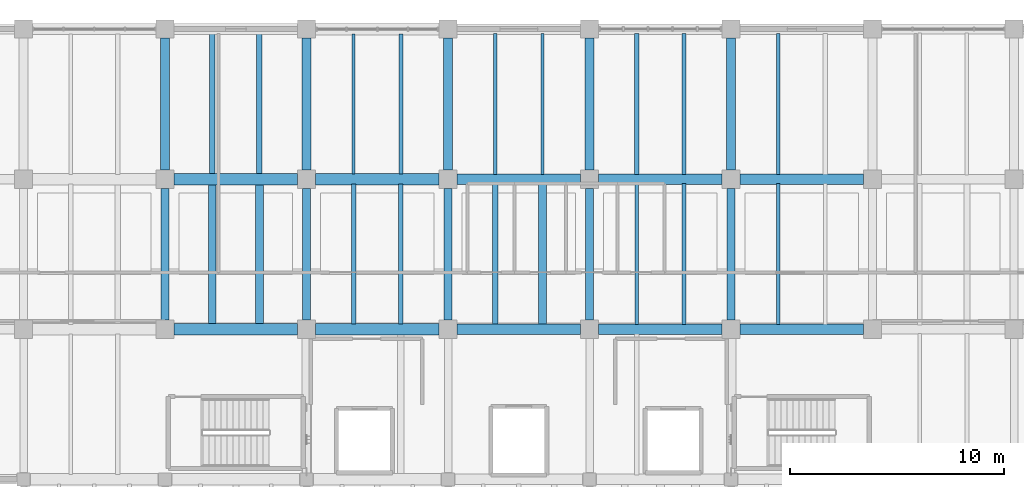
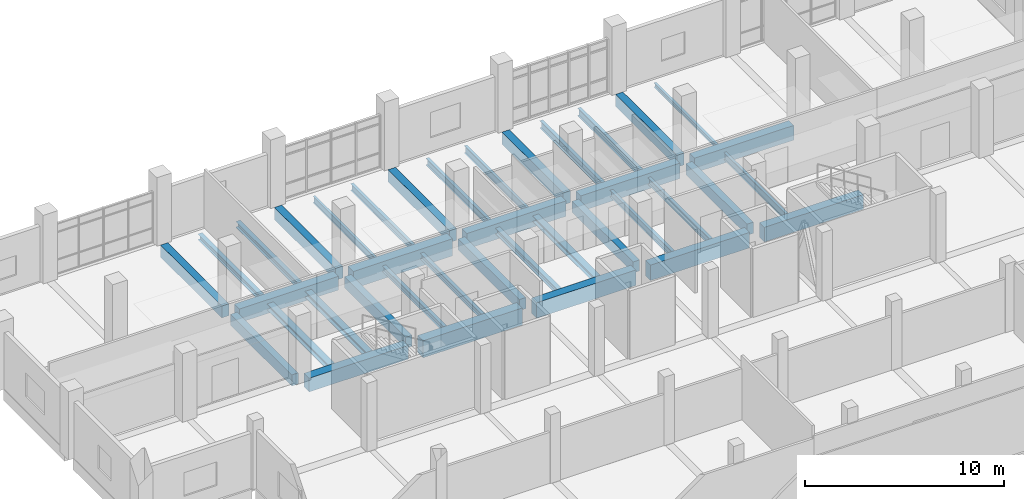
# One storey, part 29 of 68: 38 beams.
"""IFC4 building model written with IfcOpenShell, lengths in metres."""

from ifc_helpers import new_model, si_unit, direction, frame, origin, origin_2d, place, context, subcontext, project, spatial, rectangle, i_section, extrude, material, material_profile, profile_set, type_object, element, save


model = new_model("IFC4")

# Units and contexts
model_context = context("Model", 3, precision=1e-05, world=origin(), true_north=direction((0.0, 1.0)))
body_context = subcontext(model_context, "Body", "Model", "MODEL_VIEW")
ifc_project = project(units=[si_unit("LENGTHUNIT", "METRE"), si_unit("AREAUNIT", "SQUARE_METRE"), si_unit("VOLUMEUNIT", "CUBIC_METRE"), si_unit("PLANEANGLEUNIT", "RADIAN"), si_unit("MASSUNIT", "GRAM", prefix="KILO")], contexts=[model_context])

# Site, building, storey
site_placement = place(None, origin())
site = spatial("IfcSite", under=ifc_project, at=site_placement, CompositionType="ELEMENT")
building_placement = place(site_placement, origin())
building = spatial("IfcBuilding", under=site, at=building_placement, Name="Ciguamira Faculty of Natural Sciences", CompositionType="ELEMENT")
storey_placement = place(building_placement, frame((0.0, 0.0, 4.199951171875)))
storey = spatial("IfcBuildingStorey", under=building, at=storey_placement, Name="L01", CompositionType="ELEMENT", Elevation=4.199951171875)

# Beams
ifc_material_1 = material(Name="Concrete C40/50", Category="concrete")
ifc_material_profile_1 = material_profile(ifc_material_1, rectangle(XDim=0.550048828125, YDim=1.050048828125, at=origin_2d()), Name="RC-BM-550X1050")
ifc_profile_set_1 = profile_set([ifc_material_profile_1], Name="Concrete C40/50")
beam_type_1 = type_object("IfcBeamType", Name="RCBeam_BG-01_RC-BM-550X1050", PredefinedType="BEAM", material=ifc_profile_set_1)
for number, where, z_axis, x_axis, name in (
    (1, (77.52490234375, 101.0, -0.52490234375), (1.0, 0.0, 0.0), (0.0, 1.0, 0.0), "L01 RC girder EW-0525"),
    (2, (77.52490234375, 108.0, -0.52490234375), (1.0, 0.0, 0.0), (0.0, 1.0, 0.0), "L01 RC girder EW-0534"),
):
    element("IfcBeam", number, at=place(storey_placement, frame(where, z_axis=z_axis, x_axis=x_axis)), inside=storey, type_object=beam_type_1, Name=name, PredefinedType="BEAM", context=body_context, shape_type="SweptSolid", body=[
        extrude(rectangle(XDim=0.550048828125, YDim=1.050048828125, at=origin_2d()), origin(), (0.0, 0.0, 1.0), 5.75),
    ])
ifc_material_profile_2 = material_profile(ifc_material_1, rectangle(XDim=0.5, YDim=0.949951171875, at=origin_2d()), Name="RC-BM-500X950")
ifc_profile_set_2 = profile_set([ifc_material_profile_2], Name="Concrete C40/50")
beam_type_2 = type_object("IfcBeamType", Name="RCBeam_BG-02_RC-BM-500X950", PredefinedType="BEAM", material=ifc_profile_set_2)
for number, where, z_axis, x_axis, name in (
    (3, (84.125, 101.0, -0.474853515625), (1.0, 0.0, 0.0), (0.0, 1.0, 0.0), "L01 RC girder EW-0526"),
    (4, (90.72509765625, 101.0, -0.474853515625), (1.0, 0.0, 0.0), (0.0, 1.0, 0.0), "L01 RC girder EW-0527"),
    (5, (84.125, 108.0, -0.474853515625), (1.0, 0.0, 0.0), (0.0, 1.0, 0.0), "L01 RC girder EW-0535"),
    (6, (90.72509765625, 108.0, -0.474853515625), (1.0, 0.0, 0.0), (0.0, 1.0, 0.0), "L01 RC girder EW-0536"),
):
    element("IfcBeam", number, at=place(storey_placement, frame(where, z_axis=z_axis, x_axis=x_axis)), inside=storey, type_object=beam_type_2, Name=name, PredefinedType="BEAM", context=body_context, shape_type="SweptSolid", body=[
        extrude(rectangle(XDim=0.5, YDim=0.949951171875, at=origin_2d()), origin(), (0.0, 0.0, 1.0), 5.75),
    ])
ifc_material_profile_3 = material_profile(ifc_material_1, rectangle(XDim=0.5, YDim=0.89990234375, at=origin_2d()), Name="RC-BM-500X900")
ifc_profile_set_3 = profile_set([ifc_material_profile_3], Name="Concrete C40/50")
beam_type_3 = type_object("IfcBeamType", Name="RCBeam_BG-03_RC-BM-500X900", PredefinedType="BEAM", material=ifc_profile_set_3)
for number, where, z_axis, x_axis, name in (
    (7, (97.324951171875, 101.0, -0.449951171875), (1.0, 0.0, 0.0), (0.0, 1.0, 0.0), "L01 RC girder EW-0528"),
    (8, (97.324951171875, 108.0, -0.449951171875), (1.0, 0.0, 0.0), (0.0, 1.0, 0.0), "L01 RC girder EW-0537"),
):
    element("IfcBeam", number, at=place(storey_placement, frame(where, z_axis=z_axis, x_axis=x_axis)), inside=storey, type_object=beam_type_3, Name=name, PredefinedType="BEAM", context=body_context, shape_type="SweptSolid", body=[
        extrude(rectangle(XDim=0.5, YDim=0.89990234375, at=origin_2d()), origin(), (0.0, 0.0, 1.0), 5.75),
    ])
ifc_material_profile_4 = material_profile(ifc_material_1, rectangle(XDim=0.419921875, YDim=0.739990234375, at=origin_2d()), Name="RC-BM-420X740")
ifc_profile_set_4 = profile_set([ifc_material_profile_4], Name="Concrete C40/50")
beam_type_4 = type_object("IfcBeamType", Name="RCBeam_BG-07_RC-BM-420X740", PredefinedType="BEAM", material=ifc_profile_set_4)
for number, where, z_axis, x_axis, name in (
    (9, (70.5, 108.425048828125, -0.369873046875), (0.0, 1.0, 0.0), (-1.0, 0.0, 0.0), "L01 girder NS-0606"),
    (10, (77.10009765625, 108.425048828125, -0.369873046875), (0.0, 1.0, 0.0), (-1.0, 0.0, 0.0), "L01 girder NS-0617"),
    (11, (83.699951171875, 108.425048828125, -0.369873046875), (0.0, 1.0, 0.0), (-1.0, 0.0, 0.0), "L01 girder NS-0629"),
    (12, (90.300048828125, 108.425048828125, -0.369873046875), (0.0, 1.0, 0.0), (-1.0, 0.0, 0.0), "L01 girder NS-0641"),
    (13, (96.89990234375, 108.425048828125, -0.369873046875), (0.0, 1.0, 0.0), (-1.0, 0.0, 0.0), "L01 girder NS-0652"),
):
    element("IfcBeam", number, at=place(storey_placement, frame(where, z_axis=z_axis, x_axis=x_axis)), inside=storey, type_object=beam_type_4, Name=name, PredefinedType="BEAM", context=body_context, shape_type="SweptSolid", body=[
        extrude(rectangle(XDim=0.419921875, YDim=0.739990234375, at=origin_2d()), origin(), (0.0, 0.0, 1.0), 6.14990234375),
    ])
ifc_material_profile_5 = material_profile(ifc_material_1, rectangle(XDim=0.3798828125, YDim=0.679931640625, at=origin_2d()), Name="RC-BM-380X680")
ifc_profile_set_5 = profile_set([ifc_material_profile_5], Name="Concrete C40/50")
beam_type_5 = type_object("IfcBeamType", Name="RCBeam_BG-09_RC-BM-380X680", PredefinedType="BEAM", material=ifc_profile_set_5)
for number, where, z_axis, x_axis, name in (
    (14, (70.5, 101.425048828125, -0.33984375), (0.0, 1.0, 0.0), (-1.0, 0.0, 0.0), "L01 girder NS-0605"),
    (15, (77.10009765625, 101.425048828125, -0.33984375), (0.0, 1.0, 0.0), (-1.0, 0.0, 0.0), "L01 girder NS-0616"),
    (16, (83.699951171875, 101.425048828125, -0.33984375), (0.0, 1.0, 0.0), (-1.0, 0.0, 0.0), "L01 girder NS-0628"),
    (17, (90.300048828125, 101.425048828125, -0.33984375), (0.0, 1.0, 0.0), (-1.0, 0.0, 0.0), "L01 girder NS-0640"),
    (18, (96.89990234375, 101.425048828125, -0.33984375), (0.0, 1.0, 0.0), (-1.0, 0.0, 0.0), "L01 girder NS-0651"),
):
    element("IfcBeam", number, at=place(storey_placement, frame(where, z_axis=z_axis, x_axis=x_axis)), inside=storey, type_object=beam_type_5, Name=name, PredefinedType="BEAM", context=body_context, shape_type="SweptSolid", body=[
        extrude(rectangle(XDim=0.3798828125, YDim=0.679931640625, at=origin_2d()), origin(), (0.0, 0.0, 1.0), 6.14990234375),
    ])
ifc_material_profile_6 = material_profile(ifc_material_1, rectangle(XDim=0.52001953125, YDim=0.840087890625, at=origin_2d()), Name="RC-TB-520X840")
ifc_profile_set_6 = profile_set([ifc_material_profile_6], Name="Concrete C40/50")
beam_type_6 = type_object("IfcBeamType", Name="RCBeam_TB-02_RC-TB-520X840", PredefinedType="T_BEAM", material=ifc_profile_set_6)
for number, where, z_axis, x_axis, name in (
    (19, (70.925048828125, 101.0, -0.419921875), (1.0, 0.0, 0.0), (0.0, 1.0, 0.0), "L01 RC girder EW-0524"),
    (20, (70.925048828125, 108.0, -0.419921875), (1.0, 0.0, 0.0), (0.0, 1.0, 0.0), "L01 RC girder EW-0533"),
):
    element("IfcBeam", number, at=place(storey_placement, frame(where, z_axis=z_axis, x_axis=x_axis)), inside=storey, type_object=beam_type_6, Name=name, PredefinedType="T_BEAM", context=body_context, shape_type="SweptSolid", body=[
        extrude(rectangle(XDim=0.52001953125, YDim=0.840087890625, at=origin_2d()), origin(), (0.0, 0.0, 1.0), 5.75),
    ])
ifc_material_2 = material(Name="Steel ASTM A992 Grade 50", Category="steel")
ifc_material_profile_7 = material_profile(ifc_material_2, i_section(OverallWidth=0.14599609375, OverallDepth=0.259033203125, WebThickness=0.006103515625, FlangeThickness=0.009033203125, at=origin_2d()), Name="W10X22")
ifc_profile_set_7 = profile_set([ifc_material_profile_7], Name="Steel ASTM A992 Grade 50")
beam_type_7 = type_object("IfcBeamType", Name="SteelJoist_SJ-01_W10X22", PredefinedType="JOIST", material=ifc_profile_set_7)
beam_1_placement = place(storey_placement, frame((99.10009765625, 108.2099609375, -0.369384765625), z_axis=(0.0, 1.0, 0.0), x_axis=(-1.0, 0.0, 0.0)))
element("IfcBeam", 21, at=beam_1_placement, inside=storey, type_object=beam_type_7, Name="L01 composite steel joist 00568", PredefinedType="JOIST", context=body_context, shape_type="SweptSolid", body=[
    extrude(i_section(OverallWidth=0.14599609375, OverallDepth=0.259033203125, WebThickness=0.006103515625, FlangeThickness=0.009033203125, at=origin_2d()), origin(), (0.0, 0.0, 1.0), 6.580078125),
])
ifc_material_profile_8 = material_profile(ifc_material_2, i_section(OverallWidth=0.370849609375, OverallDepth=0.36328125, WebThickness=0.013427734375, FlangeThickness=0.021728515625, at=origin_2d()), Name="W14X109")
ifc_profile_set_8 = profile_set([ifc_material_profile_8], Name="Steel ASTM A992 Grade 50")
beam_type_8 = type_object("IfcBeamType", Name="SteelJoist_SJ-09_W14X109", PredefinedType="JOIST", material=ifc_profile_set_8)
beam_2_placement = place(storey_placement, frame((72.699951171875, 101.219970703125, -0.421630859375), z_axis=(0.0, 1.0, 0.0), x_axis=(-1.0, 0.0, 0.0)))
element("IfcBeam", 22, at=beam_2_placement, inside=storey, type_object=beam_type_8, Name="L01 composite steel joist 00464", PredefinedType="JOIST", context=body_context, shape_type="SweptSolid", body=[
    extrude(i_section(OverallWidth=0.370849609375, OverallDepth=0.36328125, WebThickness=0.013427734375, FlangeThickness=0.021728515625, at=origin_2d()), origin(), (0.0, 0.0, 1.0), 6.56005859375),
])
ifc_material_profile_9 = material_profile(ifc_material_2, i_section(OverallWidth=0.373291015625, OverallDepth=0.373291015625, WebThickness=0.016357421875, FlangeThickness=0.026123046875, at=origin_2d()), Name="W14X132")
ifc_profile_set_9 = profile_set([ifc_material_profile_9], Name="Steel ASTM A992 Grade 50")
beam_type_9 = type_object("IfcBeamType", Name="SteelJoist_SJ-10_W14X132", PredefinedType="JOIST", material=ifc_profile_set_9)
beam_3_placement = place(storey_placement, frame((74.89990234375, 101.219970703125, -0.4267578125), z_axis=(0.0, 1.0, 0.0), x_axis=(-1.0, 0.0, 0.0)))
element("IfcBeam", 23, at=beam_3_placement, inside=storey, type_object=beam_type_9, Name="L01 composite steel joist 00465", PredefinedType="JOIST", context=body_context, shape_type="SweptSolid", body=[
    extrude(i_section(OverallWidth=0.373291015625, OverallDepth=0.373291015625, WebThickness=0.016357421875, FlangeThickness=0.026123046875, at=origin_2d()), origin(), (0.0, 0.0, 1.0), 6.56005859375),
])
ifc_material_profile_10 = material_profile(ifc_material_2, i_section(OverallWidth=0.203125, OverallDepth=0.347900390625, WebThickness=0.0078125, FlangeThickness=0.013427734375, at=origin_2d()), Name="W14X43")
ifc_profile_set_10 = profile_set([ifc_material_profile_10], Name="Steel ASTM A992 Grade 50")
beam_type_10 = type_object("IfcBeamType", Name="SteelJoist_SJ-12_W14X43", PredefinedType="JOIST", material=ifc_profile_set_10)
beam_4_placement = place(storey_placement, frame((79.300048828125, 101.235107421875, -0.4140625), z_axis=(0.0, 1.0, 0.0), x_axis=(-1.0, 0.0, 0.0)))
element("IfcBeam", 24, at=beam_4_placement, inside=storey, type_object=beam_type_10, Name="L01 composite steel joist 00490", PredefinedType="JOIST", context=body_context, shape_type="SweptSolid", body=[
    extrude(i_section(OverallWidth=0.203125, OverallDepth=0.347900390625, WebThickness=0.0078125, FlangeThickness=0.013427734375, at=origin_2d()), origin(), (0.0, 0.0, 1.0), 6.52978515625),
])
ifc_material_profile_11 = material_profile(ifc_material_2, i_section(OverallWidth=0.204833984375, OverallDepth=0.35302734375, WebThickness=0.00927734375, FlangeThickness=0.016845703125, at=origin_2d()), Name="W14X53")
ifc_profile_set_11 = profile_set([ifc_material_profile_11], Name="Steel ASTM A992 Grade 50")
beam_type_11 = type_object("IfcBeamType", Name="SteelJoist_SJ-13_W14X53", PredefinedType="JOIST", material=ifc_profile_set_11)
beam_5_placement = place(storey_placement, frame((81.5, 101.235107421875, -0.41650390625), z_axis=(0.0, 1.0, 0.0), x_axis=(-1.0, 0.0, 0.0)))
element("IfcBeam", 25, at=beam_5_placement, inside=storey, type_object=beam_type_11, Name="L01 composite steel joist 00491", PredefinedType="JOIST", context=body_context, shape_type="SweptSolid", body=[
    extrude(i_section(OverallWidth=0.204833984375, OverallDepth=0.35302734375, WebThickness=0.00927734375, FlangeThickness=0.016845703125, at=origin_2d()), origin(), (0.0, 0.0, 1.0), 6.52978515625),
])
ifc_material_profile_12 = material_profile(ifc_material_2, i_section(OverallWidth=0.25390625, OverallDepth=0.355712890625, WebThickness=0.010498046875, FlangeThickness=0.018310546875, at=origin_2d()), Name="W14X68")
ifc_profile_set_12 = profile_set([ifc_material_profile_12], Name="Steel ASTM A992 Grade 50")
beam_type_12 = type_object("IfcBeamType", Name="SteelJoist_SJ-14_W14X68", PredefinedType="JOIST", material=ifc_profile_set_12)
beam_6_placement = place(storey_placement, frame((72.699951171875, 108.219970703125, -0.417724609375), z_axis=(0.0, 1.0, 0.0), x_axis=(-1.0, 0.0, 0.0)))
element("IfcBeam", 26, at=beam_6_placement, inside=storey, type_object=beam_type_12, Name="L01 composite steel joist 00466", PredefinedType="JOIST", context=body_context, shape_type="SweptSolid", body=[
    extrude(i_section(OverallWidth=0.25390625, OverallDepth=0.355712890625, WebThickness=0.010498046875, FlangeThickness=0.018310546875, at=origin_2d()), origin(), (0.0, 0.0, 1.0), 6.56005859375),
])
ifc_material_profile_13 = material_profile(ifc_material_2, i_section(OverallWidth=0.256591796875, OverallDepth=0.36328125, WebThickness=0.012939453125, FlangeThickness=0.021728515625, at=origin_2d()), Name="W14X82")
ifc_profile_set_13 = profile_set([ifc_material_profile_13], Name="Steel ASTM A992 Grade 50")
beam_type_13 = type_object("IfcBeamType", Name="SteelJoist_SJ-15_W14X82", PredefinedType="JOIST", material=ifc_profile_set_13)
beam_7_placement = place(storey_placement, frame((74.89990234375, 108.219970703125, -0.421630859375), z_axis=(0.0, 1.0, 0.0), x_axis=(-1.0, 0.0, 0.0)))
element("IfcBeam", 27, at=beam_7_placement, inside=storey, type_object=beam_type_13, Name="L01 composite steel joist 00467", PredefinedType="JOIST", context=body_context, shape_type="SweptSolid", body=[
    extrude(i_section(OverallWidth=0.256591796875, OverallDepth=0.36328125, WebThickness=0.012939453125, FlangeThickness=0.021728515625, at=origin_2d()), origin(), (0.0, 0.0, 1.0), 6.56005859375),
])
beam_8_placement = place(storey_placement, frame((85.89990234375, 101.2099609375, -0.421630859375), z_axis=(0.0, 1.0, 0.0), x_axis=(-1.0, 0.0, 0.0)))
element("IfcBeam", 28, at=beam_8_placement, inside=storey, type_object=beam_type_13, Name="L01 composite steel joist 00515", PredefinedType="JOIST", context=body_context, shape_type="SweptSolid", body=[
    extrude(i_section(OverallWidth=0.256591796875, OverallDepth=0.36328125, WebThickness=0.012939453125, FlangeThickness=0.021728515625, at=origin_2d()), origin(), (0.0, 0.0, 1.0), 6.580078125),
])
ifc_material_profile_14 = material_profile(ifc_material_2, i_section(OverallWidth=0.368408203125, OverallDepth=0.355712890625, WebThickness=0.01123046875, FlangeThickness=0.01806640625, at=origin_2d()), Name="W14X90")
ifc_profile_set_14 = profile_set([ifc_material_profile_14], Name="Steel ASTM A992 Grade 50")
beam_type_14 = type_object("IfcBeamType", Name="SteelJoist_SJ-16_W14X90", PredefinedType="JOIST", material=ifc_profile_set_14)
beam_9_placement = place(storey_placement, frame((88.10009765625, 101.2099609375, -0.417724609375), z_axis=(0.0, 1.0, 0.0), x_axis=(-1.0, 0.0, 0.0)))
element("IfcBeam", 29, at=beam_9_placement, inside=storey, type_object=beam_type_14, Name="L01 composite steel joist 00516", PredefinedType="JOIST", context=body_context, shape_type="SweptSolid", body=[
    extrude(i_section(OverallWidth=0.368408203125, OverallDepth=0.355712890625, WebThickness=0.01123046875, FlangeThickness=0.01806640625, at=origin_2d()), origin(), (0.0, 0.0, 1.0), 6.580078125),
])
ifc_material_profile_15 = material_profile(ifc_material_2, i_section(OverallWidth=0.140380859375, OverallDepth=0.40380859375, WebThickness=0.007080078125, FlangeThickness=0.01123046875, at=origin_2d()), Name="W16X31")
ifc_profile_set_15 = profile_set([ifc_material_profile_15], Name="Steel ASTM A992 Grade 50")
beam_type_15 = type_object("IfcBeamType", Name="SteelJoist_SJ-17_W16X31", PredefinedType="JOIST", material=ifc_profile_set_15)
beam_10_placement = place(storey_placement, frame((79.300048828125, 108.235107421875, -0.44189453125), z_axis=(0.0, 1.0, 0.0), x_axis=(-1.0, 0.0, 0.0)))
element("IfcBeam", 30, at=beam_10_placement, inside=storey, type_object=beam_type_15, Name="L01 composite steel joist 00492", PredefinedType="JOIST", context=body_context, shape_type="SweptSolid", body=[
    extrude(i_section(OverallWidth=0.140380859375, OverallDepth=0.40380859375, WebThickness=0.007080078125, FlangeThickness=0.01123046875, at=origin_2d()), origin(), (0.0, 0.0, 1.0), 6.52978515625),
])
ifc_material_profile_16 = material_profile(ifc_material_2, i_section(OverallWidth=0.177490234375, OverallDepth=0.40380859375, WebThickness=0.007568359375, FlangeThickness=0.010986328125, at=origin_2d()), Name="W16X36")
ifc_profile_set_16 = profile_set([ifc_material_profile_16], Name="Steel ASTM A992 Grade 50")
beam_type_16 = type_object("IfcBeamType", Name="SteelJoist_SJ-18_W16X36", PredefinedType="JOIST", material=ifc_profile_set_16)
beam_11_placement = place(storey_placement, frame((81.5, 108.235107421875, -0.44189453125), z_axis=(0.0, 1.0, 0.0), x_axis=(-1.0, 0.0, 0.0)))
element("IfcBeam", 31, at=beam_11_placement, inside=storey, type_object=beam_type_16, Name="L01 composite steel joist 00493", PredefinedType="JOIST", context=body_context, shape_type="SweptSolid", body=[
    extrude(i_section(OverallWidth=0.177490234375, OverallDepth=0.40380859375, WebThickness=0.007568359375, FlangeThickness=0.010986328125, at=origin_2d()), origin(), (0.0, 0.0, 1.0), 6.52978515625),
])
beam_12_placement = place(storey_placement, frame((92.5, 101.2099609375, -0.44189453125), z_axis=(0.0, 1.0, 0.0), x_axis=(-1.0, 0.0, 0.0)))
element("IfcBeam", 32, at=beam_12_placement, inside=storey, type_object=beam_type_16, Name="L01 composite steel joist 00541", PredefinedType="JOIST", context=body_context, shape_type="SweptSolid", body=[
    extrude(i_section(OverallWidth=0.177490234375, OverallDepth=0.40380859375, WebThickness=0.007568359375, FlangeThickness=0.010986328125, at=origin_2d()), origin(), (0.0, 0.0, 1.0), 6.580078125),
])
ifc_material_profile_17 = material_profile(ifc_material_2, i_section(OverallWidth=0.1787109375, OverallDepth=0.408935546875, WebThickness=0.0087890625, FlangeThickness=0.014404296875, at=origin_2d()), Name="W16X45")
ifc_profile_set_17 = profile_set([ifc_material_profile_17], Name="Steel ASTM A992 Grade 50")
beam_type_17 = type_object("IfcBeamType", Name="SteelJoist_SJ-19_W16X45", PredefinedType="JOIST", material=ifc_profile_set_17)
beam_13_placement = place(storey_placement, frame((94.699951171875, 101.2099609375, -0.4443359375), z_axis=(0.0, 1.0, 0.0), x_axis=(-1.0, 0.0, 0.0)))
element("IfcBeam", 33, at=beam_13_placement, inside=storey, type_object=beam_type_17, Name="L01 composite steel joist 00542", PredefinedType="JOIST", context=body_context, shape_type="SweptSolid", body=[
    extrude(i_section(OverallWidth=0.1787109375, OverallDepth=0.408935546875, WebThickness=0.0087890625, FlangeThickness=0.014404296875, at=origin_2d()), origin(), (0.0, 0.0, 1.0), 6.580078125),
])
ifc_material_profile_18 = material_profile(ifc_material_2, i_section(OverallWidth=0.180908203125, OverallDepth=0.41650390625, WebThickness=0.010986328125, FlangeThickness=0.01806640625, at=origin_2d()), Name="W16X57")
ifc_profile_set_18 = profile_set([ifc_material_profile_18], Name="Steel ASTM A992 Grade 50")
beam_type_18 = type_object("IfcBeamType", Name="SteelJoist_SJ-20_W16X57", PredefinedType="JOIST", material=ifc_profile_set_18)
beam_14_placement = place(storey_placement, frame((85.89990234375, 108.2099609375, -0.4482421875), z_axis=(0.0, 1.0, 0.0), x_axis=(-1.0, 0.0, 0.0)))
element("IfcBeam", 34, at=beam_14_placement, inside=storey, type_object=beam_type_18, Name="L01 composite steel joist 00517", PredefinedType="JOIST", context=body_context, shape_type="SweptSolid", body=[
    extrude(i_section(OverallWidth=0.180908203125, OverallDepth=0.41650390625, WebThickness=0.010986328125, FlangeThickness=0.01806640625, at=origin_2d()), origin(), (0.0, 0.0, 1.0), 6.580078125),
])
ifc_material_profile_19 = material_profile(ifc_material_2, i_section(OverallWidth=0.15234375, OverallDepth=0.449462890625, WebThickness=0.007568359375, FlangeThickness=0.0107421875, at=origin_2d()), Name="W18X35")
ifc_profile_set_19 = profile_set([ifc_material_profile_19], Name="Steel ASTM A992 Grade 50")
beam_type_19 = type_object("IfcBeamType", Name="SteelJoist_SJ-21_W18X35", PredefinedType="JOIST", material=ifc_profile_set_19)
for number, where, z_axis, x_axis, name in (
    (35, (88.10009765625, 108.2099609375, -0.46484375), (0.0, 1.0, 0.0), (-1.0, 0.0, 0.0), "L01 composite steel joist 00518"),
    (36, (99.10009765625, 101.2099609375, -0.46484375), (0.0, 1.0, 0.0), (-1.0, 0.0, 0.0), "L01 composite steel joist 00566"),
):
    element("IfcBeam", number, at=place(storey_placement, frame(where, z_axis=z_axis, x_axis=x_axis)), inside=storey, type_object=beam_type_19, Name=name, PredefinedType="JOIST", context=body_context, shape_type="SweptSolid", body=[
        extrude(i_section(OverallWidth=0.15234375, OverallDepth=0.449462890625, WebThickness=0.007568359375, FlangeThickness=0.0107421875, at=origin_2d()), origin(), (0.0, 0.0, 1.0), 6.580078125),
    ])
ifc_material_profile_20 = material_profile(ifc_material_2, i_section(OverallWidth=0.1904296875, OverallDepth=0.457275390625, WebThickness=0.009033203125, FlangeThickness=0.014404296875, at=origin_2d()), Name="W18X50")
ifc_profile_set_20 = profile_set([ifc_material_profile_20], Name="Steel ASTM A992 Grade 50")
beam_type_20 = type_object("IfcBeamType", Name="SteelJoist_SJ-23_W18X50", PredefinedType="JOIST", material=ifc_profile_set_20)
beam_15_placement = place(storey_placement, frame((92.5, 108.2099609375, -0.468505859375), z_axis=(0.0, 1.0, 0.0), x_axis=(-1.0, 0.0, 0.0)))
element("IfcBeam", 37, at=beam_15_placement, inside=storey, type_object=beam_type_20, Name="L01 composite steel joist 00543", PredefinedType="JOIST", context=body_context, shape_type="SweptSolid", body=[
    extrude(i_section(OverallWidth=0.1904296875, OverallDepth=0.457275390625, WebThickness=0.009033203125, FlangeThickness=0.014404296875, at=origin_2d()), origin(), (0.0, 0.0, 1.0), 6.580078125),
])
ifc_material_profile_21 = material_profile(ifc_material_2, i_section(OverallWidth=0.19287109375, OverallDepth=0.46728515625, WebThickness=0.011474609375, FlangeThickness=0.01904296875, at=origin_2d()), Name="W18X65")
ifc_profile_set_21 = profile_set([ifc_material_profile_21], Name="Steel ASTM A992 Grade 50")
beam_type_21 = type_object("IfcBeamType", Name="SteelJoist_SJ-24_W18X65", PredefinedType="JOIST", material=ifc_profile_set_21)
beam_16_placement = place(storey_placement, frame((94.699951171875, 108.2099609375, -0.4736328125), z_axis=(0.0, 1.0, 0.0), x_axis=(-1.0, 0.0, 0.0)))
element("IfcBeam", 38, at=beam_16_placement, inside=storey, type_object=beam_type_21, Name="L01 composite steel joist 00544", PredefinedType="JOIST", context=body_context, shape_type="SweptSolid", body=[
    extrude(i_section(OverallWidth=0.19287109375, OverallDepth=0.46728515625, WebThickness=0.011474609375, FlangeThickness=0.01904296875, at=origin_2d()), origin(), (0.0, 0.0, 1.0), 6.580078125),
])

save(model, "model.ifc")
